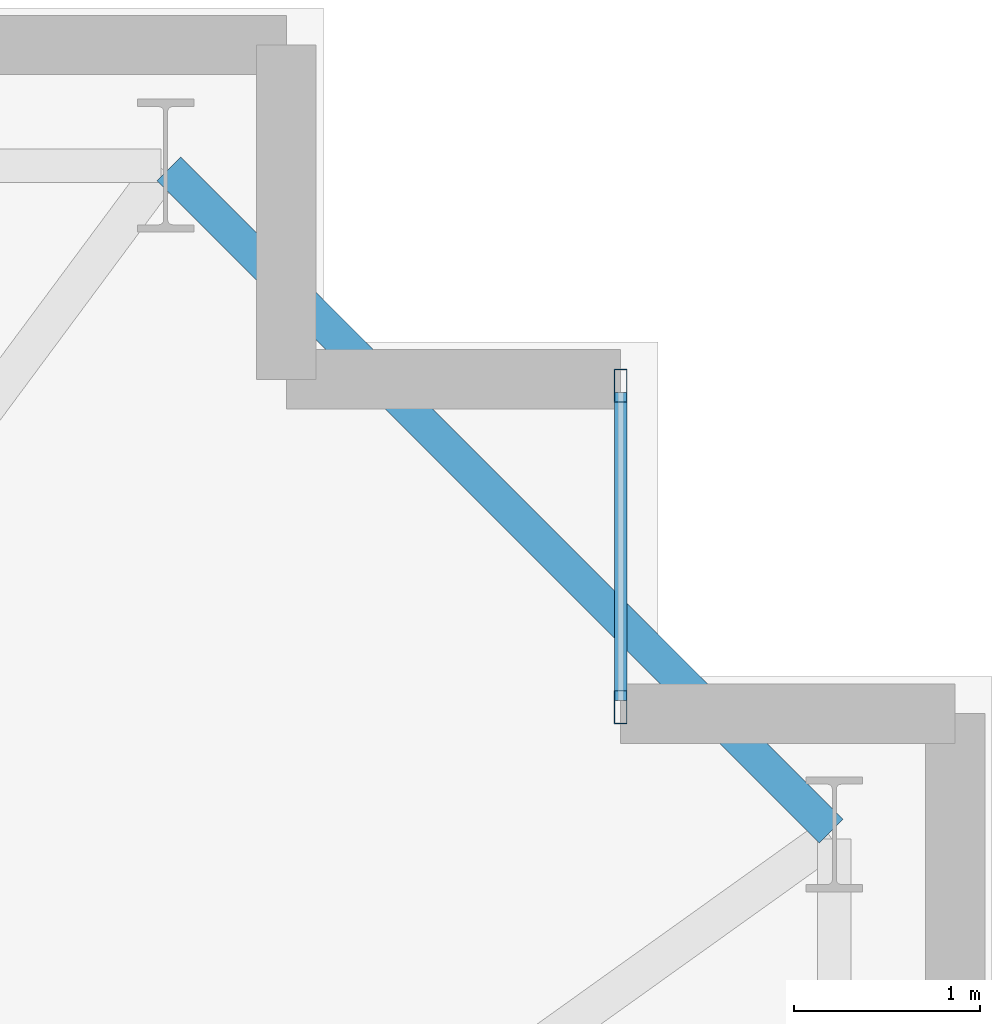
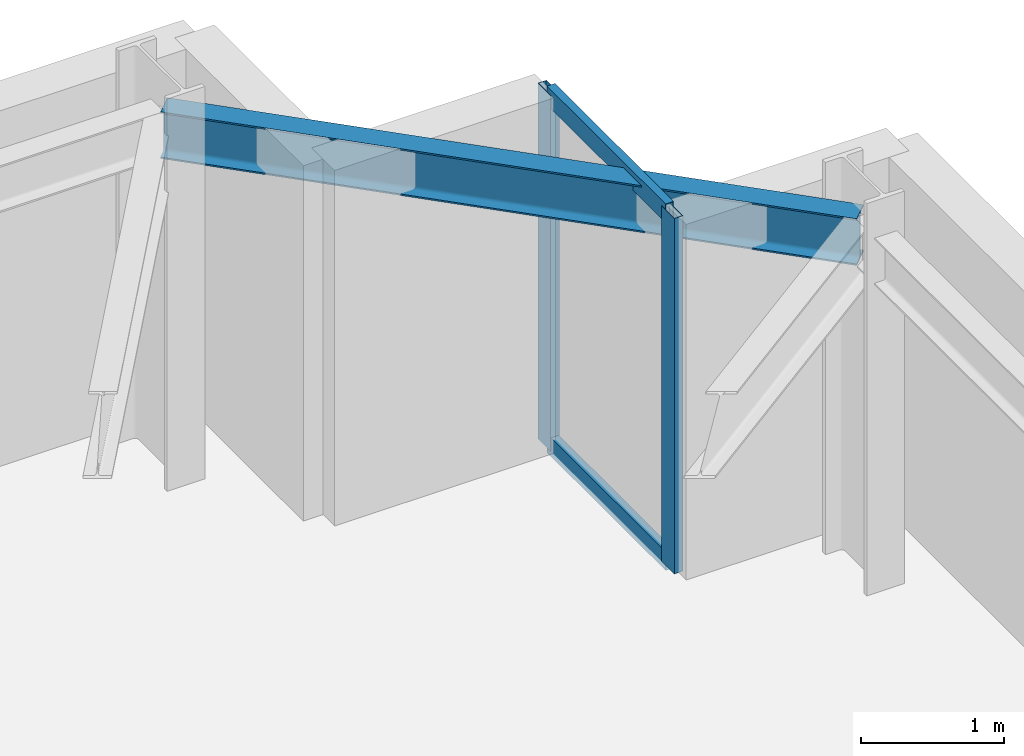
# One storey, part 12 of 20: 4 members, 1 beam, 1 element without a shape of its own.
"""IFC4 building model written with IfcOpenShell, lengths in metres."""

from ifc_helpers import new_model, si_unit, direction, frame, origin, origin_2d, place, context, subcontext, project, spatial, hollow_rectangle, i_section, extrude, material, layer, layer_set, material_profile, profile_set, type_object, element, aggregate, save


model = new_model("IFC4")

# Units and contexts
model_context = context("Model", 3, precision=1e-05, world=origin(), true_north=direction((0.0, 1.0)))
body_context = subcontext(model_context, "Body", "Model", "MODEL_VIEW")
ifc_project = project(units=[si_unit("LENGTHUNIT", "METRE"), si_unit("AREAUNIT", "SQUARE_METRE"), si_unit("VOLUMEUNIT", "CUBIC_METRE"), si_unit("PLANEANGLEUNIT", "RADIAN"), si_unit("MASSUNIT", "GRAM", prefix="KILO")], contexts=[model_context])

# Site, building, storey
site_placement = place(None, origin())
site = spatial("IfcSite", under=ifc_project, at=site_placement, CompositionType="ELEMENT")
building_placement = place(site_placement, origin())
building = spatial("IfcBuilding", under=site, at=building_placement, Name="Qobustan Lattice House", CompositionType="ELEMENT")
storey_placement = place(building_placement, frame((0.0, 0.0, 63.85009765625)))
storey = spatial("IfcBuildingStorey", under=building, at=storey_placement, Name="L17", CompositionType="ELEMENT", Elevation=63.85009765625)

# Beam
ifc_material_1 = material(Name="Steel S355", Category="steel")
ifc_material_profile_1 = material_profile(ifc_material_1, i_section(OverallWidth=0.179931640625, OverallDepth=0.39990234375, WebThickness=0.008544921875, FlangeThickness=0.013427734375, FilletRadius=0.02099609375, at=origin_2d()), Name="IPE400")
ifc_profile_set_1 = profile_set([ifc_material_profile_1], Name="Steel S355")
beam_type = type_object("IfcBeamType", Name="BM-SPD-IPE400", PredefinedType="SPANDREL", material=ifc_profile_set_1)
beam_placement = place(storey_placement, frame((32.13232421875, 15.167724609375, 2.8349609375), z_axis=(-0.707106781187, 0.707106781187, 0.0), x_axis=(-0.707106781187, -0.707106781187, 0.0)))
element("IfcBeam", 1, at=beam_placement, inside=storey, type_object=beam_type, Name="L17 perimeter spandrel E4-N1", PredefinedType="SPANDREL", context=body_context, shape_type="SweptSolid", body=[
    extrude(i_section(OverallWidth=0.179931640625, OverallDepth=0.39990234375, WebThickness=0.008544921875, FlangeThickness=0.013427734375, FilletRadius=0.02099609375, at=origin_2d()), origin(), (0.0, 0.0, 1.0), 5.041259765625),
])

# Curtain wall, members
ifc_material_2 = material(Name="Anodised aluminium and low-E glazing", Category="aluminium")
ifc_layer = layer(ifc_material_2, 0.219970703125)
ifc_layer_set = layer_set([ifc_layer], Name="Anodised aluminium and low-E glazing")
curtain_wall_type = type_object("IfcCurtainWallType", Name="CW-FAC-01", PredefinedType="USERDEFINED", material=ifc_layer_set)
curtain_wall_placement = place(storey_placement, origin())
curtain_wall = element("IfcCurtainWall", 2, at=curtain_wall_placement, inside=storey, type_object=curtain_wall_type, Name="L17 serrated corner faceted glazing 13", ObjectType="CURTAIN WALL", PredefinedType="USERDEFINED")
ifc_material_3 = material(Name="Anodised aluminium EN AW-6063 T6", Category="aluminium")
ifc_material_profile_2 = material_profile(ifc_material_3, hollow_rectangle(XDim=0.070068359375, YDim=0.179931640625, WallThickness=0.00439453125, at=origin_2d()), Name="CWM-180x70")
ifc_profile_set_2 = profile_set([ifc_material_profile_2], Name="Anodised aluminium EN AW-6063 T6")
member_type_1 = type_object("IfcMemberType", Name="CWM-STD-180", PredefinedType="MULLION", material=ifc_profile_set_2)
member_1_placement = place(storey_placement, frame((31.0, 17.56494140625, 0.0), z_axis=(0.0, 0.0, 1.0), x_axis=(1.0, 0.0, 0.0)))
member_1 = element("IfcMember", 3, at=member_1_placement, type_object=member_type_1, Name="CW-F1 mullion 1", PredefinedType="MULLION", context=body_context, shape_type="SweptSolid", body=[
    extrude(hollow_rectangle(XDim=0.070068359375, YDim=0.179931640625, WallThickness=0.00439453125, at=origin_2d()), origin(), (0.0, 0.0, 1.0), 3.034912109375),
])
member_2_placement = place(storey_placement, frame((31.0, 15.8349609375, 0.0), z_axis=(0.0, 0.0, 1.0), x_axis=(1.0, 0.0, 0.0)))
member_2 = element("IfcMember", 4, at=member_2_placement, type_object=member_type_1, Name="CW-F1 mullion 2", PredefinedType="MULLION", context=body_context, shape_type="SweptSolid", body=[
    extrude(hollow_rectangle(XDim=0.070068359375, YDim=0.179931640625, WallThickness=0.00439453125, at=origin_2d()), origin(), (0.0, 0.0, 1.0), 3.034912109375),
])
ifc_material_4 = material(Name="Anodised aluminium EN AW-6063 T6", Category="aluminium")
ifc_material_profile_3 = material_profile(ifc_material_4, hollow_rectangle(XDim=0.06494140625, YDim=0.159912109375, WallThickness=0.00390625, at=origin_2d()), Name="CWT-160x65")
ifc_profile_set_3 = profile_set([ifc_material_profile_3], Name="Anodised aluminium EN AW-6063 T6")
member_type_2 = type_object("IfcMemberType", Name="CWT-HOR-160", PredefinedType="USERDEFINED", material=ifc_profile_set_3)
member_3_placement = place(storey_placement, frame((31.0, 17.530029296875, 0.032470703125), z_axis=(0.0, -1.0, 0.0), x_axis=(1.0, 0.0, 0.0)))
member_3 = element("IfcMember", 5, at=member_3_placement, type_object=member_type_2, Name="CW-F1 transom 1.1", ObjectType="TRANSOM", PredefinedType="USERDEFINED", context=body_context, shape_type="SweptSolid", body=[
    extrude(hollow_rectangle(XDim=0.06494140625, YDim=0.159912109375, WallThickness=0.00390625, at=origin_2d()), origin(), (0.0, 0.0, 1.0), 1.659912109375),
])
member_4_placement = place(storey_placement, frame((31.0, 17.530029296875, 3.00244140625), z_axis=(0.0, -1.0, 0.0), x_axis=(1.0, 0.0, 0.0)))
member_4 = element("IfcMember", 6, at=member_4_placement, type_object=member_type_2, Name="CW-F1 transom 1.2", ObjectType="TRANSOM", PredefinedType="USERDEFINED", context=body_context, shape_type="SweptSolid", body=[
    extrude(hollow_rectangle(XDim=0.06494140625, YDim=0.159912109375, WallThickness=0.00390625, at=origin_2d()), origin(), (0.0, 0.0, 1.0), 1.659912109375),
])
aggregate(curtain_wall, [member_1, member_2, member_3, member_4])

save(model, "model.ifc")
